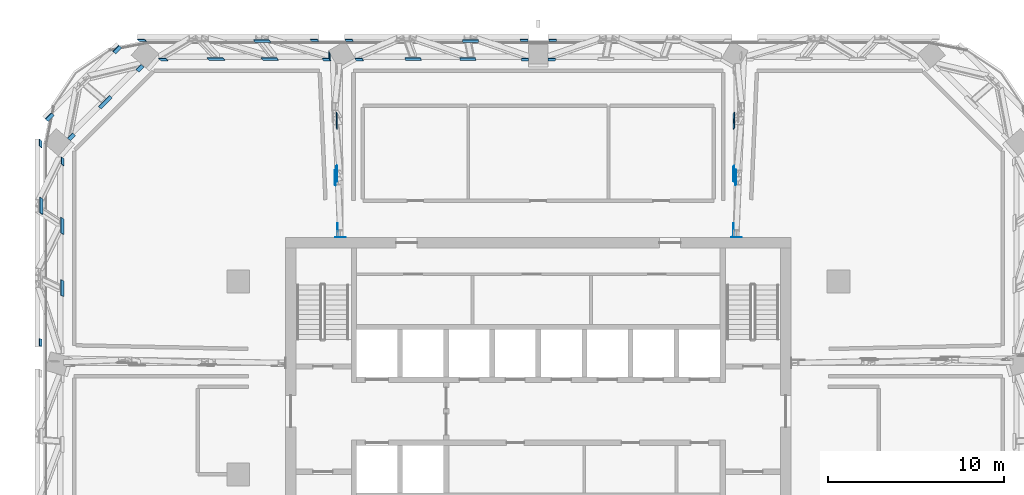
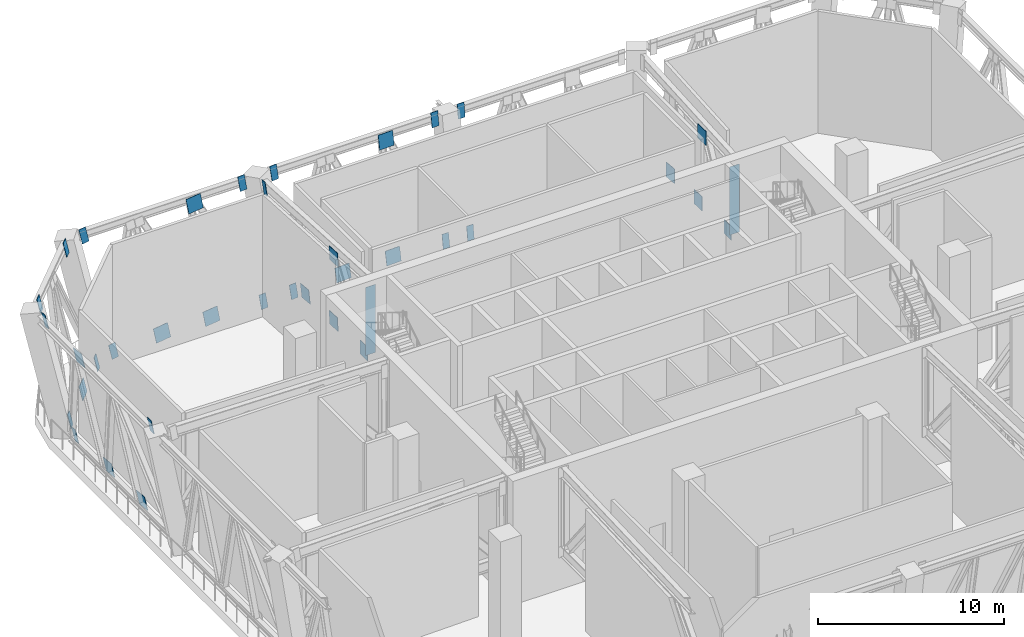
# One storey, part 12 of 24: 38 discrete accessories.
"""IFC4 building model written with IfcOpenShell, lengths in metres."""

from ifc_helpers import new_model, si_unit, direction, frame, origin, origin_2d, place, context, subcontext, project, spatial, rectangle, extrude, material, layer, layer_set, type_object, element, save


model = new_model("IFC4")

# Units and contexts
model_context = context("Model", 3, precision=1e-05, world=origin(), true_north=direction((0.0, 1.0)))
body_context = subcontext(model_context, "Body", "Model", "MODEL_VIEW")
ifc_project = project(units=[si_unit("LENGTHUNIT", "METRE"), si_unit("AREAUNIT", "SQUARE_METRE"), si_unit("VOLUMEUNIT", "CUBIC_METRE"), si_unit("PLANEANGLEUNIT", "RADIAN"), si_unit("MASSUNIT", "GRAM", prefix="KILO")], contexts=[model_context])

# Site, building, storey
site_placement = place(None, origin())
site = spatial("IfcSite", under=ifc_project, at=site_placement, CompositionType="ELEMENT")
building_placement = place(site_placement, origin())
building = spatial("IfcBuilding", under=site, at=building_placement, Name="Mopane Tessera Tower", CompositionType="ELEMENT")
storey_placement = place(building_placement, frame((0.0, 0.0, 259.0)))
storey = spatial("IfcBuildingStorey", under=building, at=storey_placement, Name="L56", CompositionType="ELEMENT", Elevation=259.0)

# Discrete accessories
ifc_material_1 = material(Name="Structural steel S460", Category="steel")
ifc_layer_1 = layer(ifc_material_1, 0.014892578125)
ifc_layer_set_1 = layer_set([ifc_layer_1], Name="Structural steel S460")
discrete_accessory_type_1 = type_object("IfcDiscreteAccessoryType", Name="Cast-in anchor plate 15 mm", PredefinedType="ANCHORPLATE", material=ifc_layer_set_1)
for number, where, z_axis, x_axis, name in (
    (1, (11.28173828125, 13.507568359375, 2.81591796875), (0.0, 0.0, 1.0), (0.0, 1.0, 0.0), "Cast-in anchor plate s ot L56 N1 p"),
    (2, (-11.28173828125, 13.507568359375, 2.81591796875), (0.0, 0.0, 1.0), (0.0, 1.0, 0.0), "Cast-in anchor plate s ot L56 N3 p"),
):
    element("IfcDiscreteAccessory", number, at=place(storey_placement, frame(where, z_axis=z_axis, x_axis=x_axis)), inside=storey, type_object=discrete_accessory_type_1, Name=name, PredefinedType="ANCHORPLATE", context=body_context, shape_type="SweptSolid", body=[
        extrude(rectangle(XDim=0.014892578125, YDim=0.60400390625, at=origin_2d()), origin(), (0.0, 0.0, 1.0), 4.468017578125),
    ])
ifc_material_2 = material(Name="Structural steel S460", Category="steel")
ifc_layer_2 = layer(ifc_material_2, 0.030029296875)
ifc_layer_set_2 = layer_set([ifc_layer_2], Name="Structural steel S460")
discrete_accessory_type_2 = type_object("IfcDiscreteAccessoryType", Name="Truss node plate 30 mm", PredefinedType="BRACKET", material=ifc_layer_set_2)
discrete_accessory_1_placement = place(storey_placement, frame((11.115234375, 13.91455078125, 2.409423828125), z_axis=(0.003526779213, 0.005697104882, 0.99997755216), x_axis=(-0.99949070087, 0.031735702651, 0.003344256472)))
element("IfcDiscreteAccessory", 3, at=discrete_accessory_1_placement, inside=storey, type_object=discrete_accessory_type_2, Name="Truss node plate s ot L56 N1 0", PredefinedType="BRACKET", context=body_context, shape_type="SweptSolid", body=[
    extrude(rectangle(XDim=0.030029296875, YDim=0.78857421875, at=origin_2d()), origin(), (0.0, 0.0, 1.0), 0.89990234375),
])
discrete_accessory_2_placement = place(storey_placement, frame((11.23681640625, 16.910888671875, 6.790771484375), z_axis=(0.026280063722, 0.044974129669, 0.998642421446), x_axis=(-0.99963520781, 0.007407882382, 0.025972573706)))
element("IfcDiscreteAccessory", 4, at=discrete_accessory_2_placement, inside=storey, type_object=discrete_accessory_type_2, Name="Truss node plate s ot L56 N1 2", PredefinedType="BRACKET", context=body_context, shape_type="SweptSolid", body=[
    extrude(rectangle(XDim=0.030029296875, YDim=0.89990234375, at=origin_2d()), origin(), (0.0, 0.0, 1.0), 0.901123046875),
])
discrete_accessory_3_placement = place(storey_placement, frame((11.123291015625, 17.11181640625, 2.409423828125), z_axis=(0.029520497809, 0.050645257708, 0.998280320391), x_axis=(-0.999550931861, 0.00663670629, 0.029221374796)))
element("IfcDiscreteAccessory", 5, at=discrete_accessory_3_placement, inside=storey, type_object=discrete_accessory_type_2, Name="Truss node plate s ot L56 N1 3", PredefinedType="BRACKET", context=body_context, shape_type="SweptSolid", body=[
    extrude(rectangle(XDim=0.030029296875, YDim=0.89990234375, at=origin_2d()), origin(), (0.0, 0.0, 1.0), 0.9013671875),
])
discrete_accessory_4_placement = place(storey_placement, frame((11.128662109375, 20.10595703125, 2.365966796875), z_axis=(0.053396363097, 0.092230081713, 0.994305003726), x_axis=(-0.998570972568, 0.00712576175, 0.052964481164)))
element("IfcDiscreteAccessory", 6, at=discrete_accessory_4_placement, inside=storey, type_object=discrete_accessory_type_2, Name="Truss node plate s ot L56 N1 5", PredefinedType="BRACKET", context=body_context, shape_type="SweptSolid", body=[
    extrude(rectangle(XDim=0.030029296875, YDim=0.89990234375, at=origin_2d()), origin(), (0.0, 0.0, 1.0), 0.9052734375),
])
discrete_accessory_5_placement = place(storey_placement, frame((-11.449462890625, 13.91357421875, 2.409423828125), z_axis=(-0.003255491499, 0.005697110123, 0.999978472124), x_axis=(-0.999988787019, 0.003420545077, -0.003275012721)))
element("IfcDiscreteAccessory", 7, at=discrete_accessory_5_placement, inside=storey, type_object=discrete_accessory_type_2, Name="Truss node plate s ot L56 N3 0", PredefinedType="BRACKET", context=body_context, shape_type="SweptSolid", body=[
    extrude(rectangle(XDim=0.030029296875, YDim=0.78857421875, at=origin_2d()), origin(), (0.0, 0.0, 1.0), 0.89990234375),
])
discrete_accessory_6_placement = place(storey_placement, frame((-11.57080078125, 16.909912109375, 6.790771484375), z_axis=(-0.026280063722, 0.044974129669, 0.998642421446), x_axis=(-0.99963520781, -0.007407882382, -0.025972573706)))
element("IfcDiscreteAccessory", 8, at=discrete_accessory_6_placement, inside=storey, type_object=discrete_accessory_type_2, Name="Truss node plate s ot L56 N3 2", PredefinedType="BRACKET", context=body_context, shape_type="SweptSolid", body=[
    extrude(rectangle(XDim=0.030029296875, YDim=0.89990234375, at=origin_2d()), origin(), (0.0, 0.0, 1.0), 0.901123046875),
])
discrete_accessory_7_placement = place(storey_placement, frame((-11.45751953125, 17.11083984375, 2.409423828125), z_axis=(-0.029249900336, 0.050645660767, 0.99828826517), x_axis=(-0.999571464843, -0.00263428214, -0.029153854434)))
element("IfcDiscreteAccessory", 9, at=discrete_accessory_7_placement, inside=storey, type_object=discrete_accessory_type_2, Name="Truss node plate s ot L56 N3 3", PredefinedType="BRACKET", context=body_context, shape_type="SweptSolid", body=[
    extrude(rectangle(XDim=0.030029296875, YDim=0.89990234375, at=origin_2d()), origin(), (0.0, 0.0, 1.0), 0.9013671875),
])
discrete_accessory_8_placement = place(storey_placement, frame((-11.462646484375, 20.10498046875, 2.365966796875), z_axis=(-0.053396363097, 0.092230081713, 0.994305003726), x_axis=(-0.998570972568, -0.00712576175, -0.052964481164)))
element("IfcDiscreteAccessory", 10, at=discrete_accessory_8_placement, inside=storey, type_object=discrete_accessory_type_2, Name="Truss node plate s ot L56 N3 5", PredefinedType="BRACKET", context=body_context, shape_type="SweptSolid", body=[
    extrude(rectangle(XDim=0.030029296875, YDim=0.89990234375, at=origin_2d()), origin(), (0.0, 0.0, 1.0), 0.9052734375),
])
discrete_accessory_9_placement = place(storey_placement, frame((-11.84716796875, 23.7734375, 7.19189453125), z_axis=(-0.077178472729, 0.133454442428, 0.988045239421), x_axis=(-0.997015800735, -0.012045431214, -0.076252217485)))
element("IfcDiscreteAccessory", 11, at=discrete_accessory_9_placement, inside=storey, type_object=discrete_accessory_type_2, Name="Truss node plate s ot L56 N3 9", PredefinedType="BRACKET", context=body_context, shape_type="SweptSolid", body=[
    extrude(rectangle(XDim=0.030029296875, YDim=0.34814453125, at=origin_2d()), origin(), (0.0, 0.0, 1.0), 0.9111328125),
])
discrete_accessory_10_placement = place(storey_placement, frame((0.758056640625, 23.576171875, -0.03857421875), z_axis=(0.00590173982, 0.147275234605, 0.989077941691), x_axis=(0.000415580472, -0.989095443009, 0.147275360847)))
element("IfcDiscreteAccessory", 12, at=discrete_accessory_10_placement, inside=storey, type_object=discrete_accessory_type_2, Name="Truss node plate s bt L56 N1-N2 7", PredefinedType="BRACKET", context=body_context, shape_type="SweptSolid", body=[
    extrude(rectangle(XDim=0.030029296875, YDim=0.41064453125, at=origin_2d()), origin(), (0.0, 0.0, 1.0), 0.91015625),
])
discrete_accessory_11_placement = place(storey_placement, frame((0.811279296875, 24.66650390625, 7.2880859375), z_axis=(0.005903306145, 0.147314321537, 0.989072111449), x_axis=(0.000917377596, -0.989089727601, 0.147311469926)))
element("IfcDiscreteAccessory", 13, at=discrete_accessory_11_placement, inside=storey, type_object=discrete_accessory_type_2, Name="Truss node plate s bt L56 N1-N2 8", PredefinedType="BRACKET", context=body_context, shape_type="SweptSolid", body=[
    extrude(rectangle(XDim=0.030029296875, YDim=0.4296875, at=origin_2d()), origin(), (0.0, 0.0, 1.0), 0.909912109375),
])
discrete_accessory_12_placement = place(storey_placement, frame((-0.758056640625, 23.576171875, -0.03857421875), z_axis=(-0.00590173982, 0.147275234605, 0.989077941691), x_axis=(-0.000415580472, -0.989095443009, 0.147275360847)))
element("IfcDiscreteAccessory", 14, at=discrete_accessory_12_placement, inside=storey, type_object=discrete_accessory_type_2, Name="Truss node plate s bt L56 N2-N3 0", PredefinedType="BRACKET", context=body_context, shape_type="SweptSolid", body=[
    extrude(rectangle(XDim=0.030029296875, YDim=0.41064453125, at=origin_2d()), origin(), (0.0, 0.0, 1.0), 0.91015625),
])
discrete_accessory_13_placement = place(storey_placement, frame((-0.811279296875, 24.66650390625, 7.2880859375), z_axis=(-0.005903306145, 0.147314321537, 0.989072111449), x_axis=(-0.000917377596, -0.989089727601, 0.147311469926)))
element("IfcDiscreteAccessory", 15, at=discrete_accessory_13_placement, inside=storey, type_object=discrete_accessory_type_2, Name="Truss node plate s bt L56 N2-N3 1", PredefinedType="BRACKET", context=body_context, shape_type="SweptSolid", body=[
    extrude(rectangle(XDim=0.030029296875, YDim=0.4296875, at=origin_2d()), origin(), (0.0, 0.0, 1.0), 0.909912109375),
])
for number, where, z_axis, x_axis, name in (
    (16, (-3.8486328125, 24.624755859375, 7.007568359375), (-0.028164184321, 0.147258449448, 0.988696984818), (-0.003617660059, -0.989097884349, 0.147215106946), "Truss node plate s bt L56 N2-N3 2"),
    (17, (-4.00390625, 23.595458984375, 0.090087890625), (-0.030845263703, 0.146984387036, 0.988657756595), (-0.003782103748, -0.989138494303, 0.146937860268), "Truss node plate s bt L56 N2-N3 3"),
):
    element("IfcDiscreteAccessory", number, at=place(storey_placement, frame(where, z_axis=z_axis, x_axis=x_axis)), inside=storey, type_object=discrete_accessory_type_2, Name=name, PredefinedType="BRACKET", context=body_context, shape_type="SweptSolid", body=[
        extrude(rectangle(XDim=0.030029296875, YDim=0.89990234375, at=origin_2d()), origin(), (0.0, 0.0, 1.0), 0.91015625),
    ])
discrete_accessory_14_placement = place(storey_placement, frame((-7.105224609375, 23.593017578125, 0.073974609375), z_axis=(-0.054644409286, 0.147057748519, 0.987617338413), x_axis=(-0.007578757668, -0.989127760517, 0.146863323558)))
element("IfcDiscreteAccessory", 18, at=discrete_accessory_14_placement, inside=storey, type_object=discrete_accessory_type_2, Name="Truss node plate s bt L56 N2-N3 5", PredefinedType="BRACKET", context=body_context, shape_type="SweptSolid", body=[
    extrude(rectangle(XDim=0.030029296875, YDim=0.89990234375, at=origin_2d()), origin(), (0.0, 0.0, 1.0), 0.911376953125),
])
discrete_accessory_15_placement = place(storey_placement, frame((-10.164794921875, 23.576171875, -0.03857421875), z_axis=(-0.077828491184, 0.146831070997, 0.986095006858), x_axis=(-0.012428709749, -0.989161200879, 0.146306684227)))
element("IfcDiscreteAccessory", 19, at=discrete_accessory_15_placement, inside=storey, type_object=discrete_accessory_type_2, Name="Truss node plate s bt L56 N2-N3 7", PredefinedType="BRACKET", context=body_context, shape_type="SweptSolid", body=[
    extrude(rectangle(XDim=0.030029296875, YDim=0.41064453125, at=origin_2d()), origin(), (0.0, 0.0, 1.0), 0.912841796875),
])
discrete_accessory_16_placement = place(storey_placement, frame((-10.743896484375, 24.66650390625, 7.2880859375), z_axis=(-0.077849022459, 0.146869805258, 0.986087617814), x_axis=(-0.012433026507, -0.989155452002, 0.146345179717)))
element("IfcDiscreteAccessory", 20, at=discrete_accessory_16_placement, inside=storey, type_object=discrete_accessory_type_2, Name="Truss node plate s bt L56 N2-N3 8", PredefinedType="BRACKET", context=body_context, shape_type="SweptSolid", body=[
    extrude(rectangle(XDim=0.030029296875, YDim=0.41064453125, at=origin_2d()), origin(), (0.0, 0.0, 1.0), 0.91259765625),
])
discrete_accessory_17_placement = place(storey_placement, frame((-12.029052734375, 23.576171875, -0.0390625), z_axis=(-0.092182013426, 0.146689638756, 0.984877975326), x_axis=(-0.013810784404, -0.989182556621, 0.146038118005)))
element("IfcDiscreteAccessory", 21, at=discrete_accessory_17_placement, inside=storey, type_object=discrete_accessory_type_2, Name="Truss node plate s bt L56 N3-N4 0", PredefinedType="BRACKET", context=body_context, shape_type="SweptSolid", body=[
    extrude(rectangle(XDim=0.030029296875, YDim=0.411376953125, at=origin_2d()), origin(), (0.0, 0.0, 1.0), 0.913818359375),
])
discrete_accessory_18_placement = place(storey_placement, frame((-12.714111328125, 24.66650390625, 7.2880859375), z_axis=(-0.092182013426, 0.146689638756, 0.984877975326), x_axis=(-0.013796013691, -0.989182558587, 0.146039500798)))
element("IfcDiscreteAccessory", 22, at=discrete_accessory_18_placement, inside=storey, type_object=discrete_accessory_type_2, Name="Truss node plate s bt L56 N3-N4 1", PredefinedType="BRACKET", context=body_context, shape_type="SweptSolid", body=[
    extrude(rectangle(XDim=0.030029296875, YDim=0.41064453125, at=origin_2d()), origin(), (0.0, 0.0, 1.0), 0.913818359375),
])
discrete_accessory_19_placement = place(storey_placement, frame((-15.68701171875, 24.625, 7.008056640625), z_axis=(-0.113546523601, 0.146064542097, 0.982737165533), x_axis=(-0.016698847079, -0.989275060442, 0.145106868529)))
element("IfcDiscreteAccessory", 23, at=discrete_accessory_19_placement, inside=storey, type_object=discrete_accessory_type_2, Name="Truss node plate s bt L56 N3-N4 2", PredefinedType="BRACKET", context=body_context, shape_type="SweptSolid", body=[
    extrude(rectangle(XDim=0.030029296875, YDim=0.89990234375, at=origin_2d()), origin(), (0.0, 0.0, 1.0), 0.916015625),
])
discrete_accessory_20_placement = place(storey_placement, frame((-15.239013671875, 23.59521484375, 0.08935546875), z_axis=(-0.116171843053, 0.146280600542, 0.982398131506), x_axis=(-0.018070823576, -0.989242738536, 0.145162838182)))
element("IfcDiscreteAccessory", 24, at=discrete_accessory_20_placement, inside=storey, type_object=discrete_accessory_type_2, Name="Truss node plate s bt L56 N3-N4 3", PredefinedType="BRACKET", context=body_context, shape_type="SweptSolid", body=[
    extrude(rectangle(XDim=0.030029296875, YDim=0.89990234375, at=origin_2d()), origin(), (0.0, 0.0, 1.0), 0.916259765625),
])
discrete_accessory_21_placement = place(storey_placement, frame((-18.29150390625, 23.593017578125, 0.073974609375), z_axis=(-0.139202549472, 0.145843892482, 0.979465266993), x_axis=(-0.020876926933, -0.989307552138, 0.144342374942)))
element("IfcDiscreteAccessory", 25, at=discrete_accessory_21_placement, inside=storey, type_object=discrete_accessory_type_2, Name="Truss node plate s bt L56 N3-N4 5", PredefinedType="BRACKET", context=body_context, shape_type="SweptSolid", body=[
    extrude(rectangle(XDim=0.030029296875, YDim=0.89990234375, at=origin_2d()), origin(), (0.0, 0.0, 1.0), 0.9189453125),
])
discrete_accessory_22_placement = place(storey_placement, frame((-21.29345703125, 23.576171875, -0.0390625), z_axis=(-0.161793614852, 0.145375932166, 0.976057715783), x_axis=(-0.023752512285, -0.989376489465, 0.143422384078)))
element("IfcDiscreteAccessory", 26, at=discrete_accessory_22_placement, inside=storey, type_object=discrete_accessory_type_2, Name="Truss node plate s bt L56 N3-N4 7", PredefinedType="BRACKET", context=body_context, shape_type="SweptSolid", body=[
    extrude(rectangle(XDim=0.030029296875, YDim=0.411376953125, at=origin_2d()), origin(), (0.0, 0.0, 1.0), 0.921875),
])
discrete_accessory_23_placement = place(storey_placement, frame((-22.505615234375, 24.66650390625, 7.2880859375), z_axis=(-0.161535728705, 0.145382155834, 0.976099501648), x_axis=(-0.024504563502, -0.989375275434, 0.143304189495)))
element("IfcDiscreteAccessory", 27, at=discrete_accessory_23_placement, inside=storey, type_object=discrete_accessory_type_2, Name="Truss node plate s bt L56 N3-N4 8", PredefinedType="BRACKET", context=body_context, shape_type="SweptSolid", body=[
    extrude(rectangle(XDim=0.030029296875, YDim=0.414306640625, at=origin_2d()), origin(), (0.0, 0.0, 1.0), 0.921875),
])
discrete_accessory_24_placement = place(storey_placement, frame((-22.621826171875, 23.076904296875, -0.042724609375), z_axis=(-0.168186499549, 0.145179855743, 0.975005697858), x_axis=(0.686453595515, -0.692604313811, 0.221541701934)))
element("IfcDiscreteAccessory", 28, at=discrete_accessory_24_placement, inside=storey, type_object=discrete_accessory_type_2, Name="Truss node plate s bt L56 N4-W0 0", PredefinedType="BRACKET", context=body_context, shape_type="SweptSolid", body=[
    extrude(rectangle(XDim=0.030029296875, YDim=0.4150390625, at=origin_2d()), origin(), (0.0, 0.0, 1.0), 0.92333984375),
])
discrete_accessory_25_placement = place(storey_placement, frame((-23.91357421875, 24.141357421875, 7.2880859375), z_axis=(-0.168236331233, 0.144958348295, 0.975030058056), x_axis=(0.687096227056, -0.692000924737, 0.221435080619)))
element("IfcDiscreteAccessory", 29, at=discrete_accessory_25_placement, inside=storey, type_object=discrete_accessory_type_2, Name="Truss node plate s bt L56 N4-W0 1", PredefinedType="BRACKET", context=body_context, shape_type="SweptSolid", body=[
    extrude(rectangle(XDim=0.030029296875, YDim=0.489990234375, at=origin_2d()), origin(), (0.0, 0.0, 1.0), 0.9228515625),
])
discrete_accessory_26_placement = place(storey_placement, frame((-24.593994140625, 21.142333984375, 0.073974609375), z_axis=(-0.16819295105, 0.144920970402, 0.975043098306), x_axis=(0.687106077615, -0.692009412326, 0.221377982999)))
element("IfcDiscreteAccessory", 30, at=discrete_accessory_26_placement, inside=storey, type_object=discrete_accessory_type_2, Name="Truss node plate s bt L56 N4-W0 3", PredefinedType="BRACKET", context=body_context, shape_type="SweptSolid", body=[
    extrude(rectangle(XDim=0.030029296875, YDim=0.89990234375, at=origin_2d()), origin(), (0.0, 0.0, 1.0), 0.923095703125),
])
discrete_accessory_27_placement = place(storey_placement, frame((-26.52587890625, 19.1728515625, -0.042724609375), z_axis=(-0.16819295105, 0.144920970402, 0.975043098306), x_axis=(0.687106077615, -0.692009412326, 0.221377982999)))
element("IfcDiscreteAccessory", 31, at=discrete_accessory_27_placement, inside=storey, type_object=discrete_accessory_type_2, Name="Truss node plate s bt L56 N4-W0 5", PredefinedType="BRACKET", context=body_context, shape_type="SweptSolid", body=[
    extrude(rectangle(XDim=0.030029296875, YDim=0.4150390625, at=origin_2d()), origin(), (0.0, 0.0, 1.0), 0.923095703125),
])
discrete_accessory_28_placement = place(storey_placement, frame((-27.7646484375, 20.2900390625, 7.2880859375), z_axis=(-0.168486883915, 0.145210830878, 0.974949221521), x_axis=(0.686948907614, -0.692033942833, 0.221788683876)))
element("IfcDiscreteAccessory", 32, at=discrete_accessory_28_placement, inside=storey, type_object=discrete_accessory_type_2, Name="Truss node plate s bt L56 N4-W0 6", PredefinedType="BRACKET", context=body_context, shape_type="SweptSolid", body=[
    extrude(rectangle(XDim=0.030029296875, YDim=0.489990234375, at=origin_2d()), origin(), (0.0, 0.0, 1.0), 0.923095703125),
])
discrete_accessory_29_placement = place(storey_placement, frame((-27.0263671875, 17.76318359375, -0.032958984375), z_axis=(-0.168412620808, 0.137695853491, 0.976051761478), x_axis=(0.985716507474, 0.023128923761, 0.166817324579)))
element("IfcDiscreteAccessory", 33, at=discrete_accessory_29_placement, inside=storey, type_object=discrete_accessory_type_2, Name="Truss node plate s bt L56 W0-W1 0", PredefinedType="BRACKET", context=body_context, shape_type="SweptSolid", body=[
    extrude(rectangle(XDim=0.030029296875, YDim=0.404296875, at=origin_2d()), origin(), (0.0, 0.0, 1.0), 0.921875),
])
discrete_accessory_30_placement = place(storey_placement, frame((-28.2900390625, 18.796142578125, 7.2880859375), z_axis=(-0.168412620808, 0.137695853491, 0.976051761478), x_axis=(0.985716513723, 0.023144909912, 0.166815070421)))
element("IfcDiscreteAccessory", 34, at=discrete_accessory_30_placement, inside=storey, type_object=discrete_accessory_type_2, Name="Truss node plate s bt L56 W0-W1 1", PredefinedType="BRACKET", context=body_context, shape_type="SweptSolid", body=[
    extrude(rectangle(XDim=0.030029296875, YDim=0.403076171875, at=origin_2d()), origin(), (0.0, 0.0, 1.0), 0.921875),
])
discrete_accessory_31_placement = place(storey_placement, frame((-28.240478515625, 15.24560546875, 7.001953125), z_axis=(-0.169174410783, 0.112074727395, 0.979193175127), x_axis=(0.985585511673, 0.020349919285, 0.167949635204)))
element("IfcDiscreteAccessory", 35, at=discrete_accessory_31_placement, inside=storey, type_object=discrete_accessory_type_2, Name="Truss node plate s bt L56 W0-W1 2", PredefinedType="BRACKET", context=body_context, shape_type="SweptSolid", body=[
    extrude(rectangle(XDim=0.030029296875, YDim=0.89990234375, at=origin_2d()), origin(), (0.0, 0.0, 1.0), 0.919189453125),
])
discrete_accessory_32_placement = place(storey_placement, frame((-27.048583984375, 14.108642578125, 0.095703125), z_axis=(-0.169005181044, 0.109747075112, 0.979486002087), x_axis=(0.985614835937, 0.018009399164, 0.168044805698)))
element("IfcDiscreteAccessory", 36, at=discrete_accessory_32_placement, inside=storey, type_object=discrete_accessory_type_2, Name="Truss node plate s bt L56 W0-W1 3", PredefinedType="BRACKET", context=body_context, shape_type="SweptSolid", body=[
    extrude(rectangle(XDim=0.030029296875, YDim=0.89990234375, at=origin_2d()), origin(), (0.0, 0.0, 1.0), 0.918701171875),
])
discrete_accessory_33_placement = place(storey_placement, frame((-27.044677734375, 10.573974609375, 0.073974609375), z_axis=(-0.169669397771, 0.082304307553, 0.982058194008), x_axis=(0.985500809052, 0.014848896003, 0.169019719691)))
element("IfcDiscreteAccessory", 37, at=discrete_accessory_33_placement, inside=storey, type_object=discrete_accessory_type_2, Name="Truss node plate s bt L56 W0-W1 5", PredefinedType="BRACKET", context=body_context, shape_type="SweptSolid", body=[
    extrude(rectangle(XDim=0.030029296875, YDim=0.89990234375, at=origin_2d()), origin(), (0.0, 0.0, 1.0), 0.91650390625),
])
discrete_accessory_34_placement = place(storey_placement, frame((-28.2900390625, 7.4892578125, 7.2880859375), z_axis=(-0.169772479873, 0.055256137317, 0.983932957252), x_axis=(0.985483281372, 0.009605207843, 0.16950056672)))
element("IfcDiscreteAccessory", 38, at=discrete_accessory_34_placement, inside=storey, type_object=discrete_accessory_type_2, Name="Truss node plate s bt L56 W0-W1 8", PredefinedType="BRACKET", context=body_context, shape_type="SweptSolid", body=[
    extrude(rectangle(XDim=0.030029296875, YDim=0.421142578125, at=origin_2d()), origin(), (0.0, 0.0, 1.0), 0.91455078125),
])

save(model, "model.ifc")
